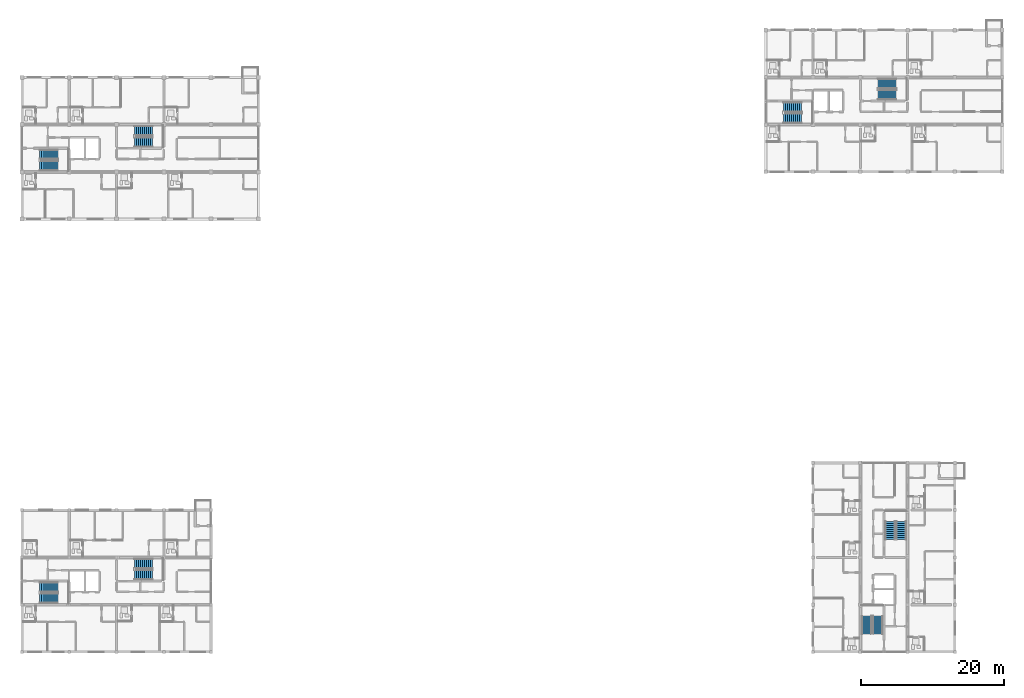
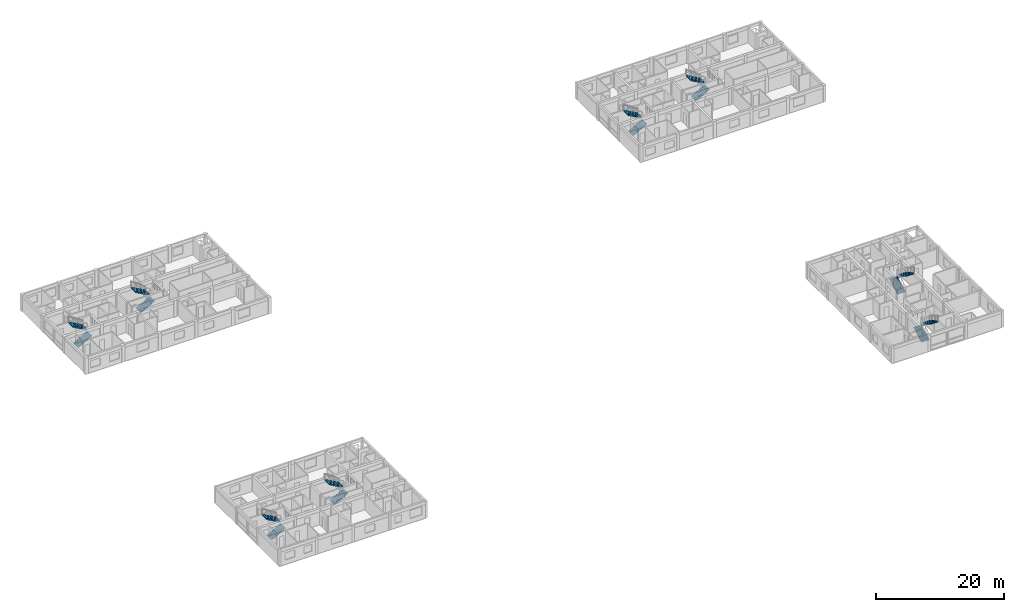
# One storey, part 39 of 45: 16 stair flights, 8 elements without a shape of their own.
"""IFC4 building model written with IfcOpenShell, lengths in metres."""

from ifc_helpers import new_model, si_unit, direction, frame, origin, place, context, subcontext, project, spatial, polyline, outline, extrude, material, type_object, element, aggregate, save


model = new_model("IFC4")

# Units and contexts
model_context = context("Model", 3, precision=1e-05, world=origin(), true_north=direction((0.0, 1.0)))
body_context = subcontext(model_context, "Body", "Model", "MODEL_VIEW")
ifc_project = project(units=[si_unit("LENGTHUNIT", "METRE"), si_unit("AREAUNIT", "SQUARE_METRE"), si_unit("VOLUMEUNIT", "CUBIC_METRE"), si_unit("PLANEANGLEUNIT", "RADIAN"), si_unit("MASSUNIT", "GRAM", prefix="KILO")], contexts=[model_context])

# Site, building, storey
site_placement = place(None, origin())
site = spatial("IfcSite", under=ifc_project, at=site_placement, CompositionType="ELEMENT")
building_placement = place(site_placement, origin())
building = spatial("IfcBuilding", under=site, at=building_placement, Name="Kernevlak Ridge Housing Community", CompositionType="ELEMENT")
storey_placement = place(building_placement, frame((0.0, 0.0, 21.199951171875)))
storey = spatial("IfcBuildingStorey", under=building, at=storey_placement, Name="L06", CompositionType="ELEMENT", Elevation=21.199951171875)

# Stair, stair flights
ifc_material = material(Name="Concrete C35/45", Category="concrete")
stair_type = type_object("IfcStairType", Name="SR-01", PredefinedType="HALF_TURN_STAIR", material=ifc_material)
stair_1_placement = place(storey_placement, origin())
stair_1 = element("IfcStair", 1, at=stair_1_placement, inside=storey, type_object=stair_type, Name="Stair ST-A1 L06", PredefinedType="HALF_TURN_STAIR")
stair_flight_type = type_object("IfcStairFlightType", Name="SF-01", PredefinedType="STRAIGHT", material=ifc_material)
stair_flight_1_placement = place(storey_placement, frame((18.080078125, 83.4599609375, 0.0), z_axis=(0.0, 0.0, 1.0), x_axis=(1.0, 0.0, 0.0)))
stair_flight_1 = element("IfcStairFlight", 2, at=stair_flight_1_placement, type_object=stair_flight_type, Name="SR-01 flight 1", NumberOfRisers=10, NumberOfTreads=9, PredefinedType="STRAIGHT", RiserHeight=0.16, TreadLength=0.28, context=body_context, shape_type="SweptSolid", body=[
    extrude(outline(polyline([(0.0, 0.0), (0.0, 0.159912109375), (0.280029296875, 0.159912109375), (0.280029296875, 0.320068359375), (0.56005859375, 0.320068359375), (0.56005859375, 0.47998046875), (0.840087890625, 0.47998046875), (0.840087890625, 0.639892578125), (1.1201171875, 0.639892578125), (1.1201171875, 0.800048828125), (1.39990234375, 0.800048828125), (1.39990234375, 0.9599609375), (1.679931640625, 0.9599609375), (1.679931640625, 1.1201171875), (1.9599609375, 1.1201171875), (1.9599609375, 1.280029296875), (2.239990234375, 1.280029296875), (2.239990234375, 1.43994140625), (2.52001953125, 1.43994140625), (2.52001953125, 1.60009765625), (2.52001953125, 1.244384765625), (0.342529296875, 0.0), (0.0, 0.0)])), frame((0.0, 0.699951171875, 0.0), z_axis=(0.0, -1.0, 0.0), x_axis=(1.0, 0.0, 0.0)), (0.0, 0.0, 1.0), 1.39990234375),
])
stair_flight_2_placement = place(storey_placement, frame((20.60009765625, 85.0400390625, 1.60009765625), z_axis=(0.0, 0.0, 1.0), x_axis=(-1.0, 0.0, 0.0)))
stair_flight_2 = element("IfcStairFlight", 3, at=stair_flight_2_placement, type_object=stair_flight_type, Name="SR-01 flight 2", NumberOfRisers=10, NumberOfTreads=9, PredefinedType="STRAIGHT", RiserHeight=0.16, TreadLength=0.28, context=body_context, shape_type="SweptSolid", body=[
    extrude(outline(polyline([(0.0, 0.0), (0.0, 0.159912109375), (0.280029296875, 0.159912109375), (0.280029296875, 0.320068359375), (0.56005859375, 0.320068359375), (0.56005859375, 0.47998046875), (0.840087890625, 0.47998046875), (0.840087890625, 0.639892578125), (1.1201171875, 0.639892578125), (1.1201171875, 0.800048828125), (1.39990234375, 0.800048828125), (1.39990234375, 0.9599609375), (1.679931640625, 0.9599609375), (1.679931640625, 1.1201171875), (1.9599609375, 1.1201171875), (1.9599609375, 1.280029296875), (2.239990234375, 1.280029296875), (2.239990234375, 1.43994140625), (2.52001953125, 1.43994140625), (2.52001953125, 1.60009765625), (2.52001953125, 1.244384765625), (0.342529296875, 0.0), (0.0, 0.0)])), frame((0.0, 0.699951171875, 0.0), z_axis=(0.0, -1.0, 0.0), x_axis=(1.0, 0.0, 0.0)), (0.0, 0.0, 1.0), 1.39990234375),
])
aggregate(stair_1, [stair_flight_1, stair_flight_2])

stair_2_placement = place(storey_placement, origin())
stair_2 = element("IfcStair", 4, at=stair_2_placement, inside=storey, type_object=stair_type, Name="Stair ST-A2 L06", PredefinedType="HALF_TURN_STAIR")
stair_flight_3_placement = place(storey_placement, frame((31.280029296875, 86.760009765625, 0.0), z_axis=(0.0, 0.0, 1.0), x_axis=(1.0, 0.0, 0.0)))
stair_flight_3 = element("IfcStairFlight", 5, at=stair_flight_3_placement, type_object=stair_flight_type, Name="SR-01 flight 1", NumberOfRisers=10, NumberOfTreads=9, PredefinedType="STRAIGHT", RiserHeight=0.16, TreadLength=0.28, context=body_context, shape_type="SweptSolid", body=[
    extrude(outline(polyline([(0.0, 0.0), (0.0, 0.159912109375), (0.280029296875, 0.159912109375), (0.280029296875, 0.320068359375), (0.56005859375, 0.320068359375), (0.56005859375, 0.47998046875), (0.840087890625, 0.47998046875), (0.840087890625, 0.639892578125), (1.1201171875, 0.639892578125), (1.1201171875, 0.800048828125), (1.39990234375, 0.800048828125), (1.39990234375, 0.9599609375), (1.679931640625, 0.9599609375), (1.679931640625, 1.1201171875), (1.9599609375, 1.1201171875), (1.9599609375, 1.280029296875), (2.239990234375, 1.280029296875), (2.239990234375, 1.43994140625), (2.52001953125, 1.43994140625), (2.52001953125, 1.60009765625), (2.52001953125, 1.244384765625), (0.342529296875, 0.0), (0.0, 0.0)])), frame((0.0, 0.699951171875, 0.0), z_axis=(0.0, -1.0, 0.0), x_axis=(1.0, 0.0, 0.0)), (0.0, 0.0, 1.0), 1.39990234375),
])
stair_flight_4_placement = place(storey_placement, frame((33.800048828125, 88.340087890625, 1.60009765625), z_axis=(0.0, 0.0, 1.0), x_axis=(-1.0, 0.0, 0.0)))
stair_flight_4 = element("IfcStairFlight", 6, at=stair_flight_4_placement, type_object=stair_flight_type, Name="SR-01 flight 2", NumberOfRisers=10, NumberOfTreads=9, PredefinedType="STRAIGHT", RiserHeight=0.16, TreadLength=0.28, context=body_context, shape_type="SweptSolid", body=[
    extrude(outline(polyline([(0.0, 0.0), (0.0, 0.159912109375), (0.280029296875, 0.159912109375), (0.280029296875, 0.320068359375), (0.56005859375, 0.320068359375), (0.56005859375, 0.47998046875), (0.840087890625, 0.47998046875), (0.840087890625, 0.639892578125), (1.1201171875, 0.639892578125), (1.1201171875, 0.800048828125), (1.39990234375, 0.800048828125), (1.39990234375, 0.9599609375), (1.679931640625, 0.9599609375), (1.679931640625, 1.1201171875), (1.9599609375, 1.1201171875), (1.9599609375, 1.280029296875), (2.239990234375, 1.280029296875), (2.239990234375, 1.43994140625), (2.52001953125, 1.43994140625), (2.52001953125, 1.60009765625), (2.52001953125, 1.244384765625), (0.342529296875, 0.0), (0.0, 0.0)])), frame((0.0, 0.699951171875, 0.0), z_axis=(0.0, -1.0, 0.0), x_axis=(1.0, 0.0, 0.0)), (0.0, 0.0, 1.0), 1.39990234375),
])
aggregate(stair_2, [stair_flight_3, stair_flight_4])

stair_3_placement = place(storey_placement, origin())
stair_3 = element("IfcStair", 7, at=stair_3_placement, inside=storey, type_object=stair_type, Name="Stair ST-B1 L06", PredefinedType="HALF_TURN_STAIR")
stair_flight_5_placement = place(storey_placement, frame((121.8798828125, 90.06005859375, 0.0), z_axis=(0.0, 0.0, 1.0), x_axis=(1.0, 0.0, 0.0)))
stair_flight_5 = element("IfcStairFlight", 8, at=stair_flight_5_placement, type_object=stair_flight_type, Name="SR-01 flight 1", NumberOfRisers=10, NumberOfTreads=9, PredefinedType="STRAIGHT", RiserHeight=0.16, TreadLength=0.28, context=body_context, shape_type="SweptSolid", body=[
    extrude(outline(polyline([(0.0, 0.0), (0.0, 0.159912109375), (0.280029296875, 0.159912109375), (0.280029296875, 0.320068359375), (0.56005859375, 0.320068359375), (0.56005859375, 0.47998046875), (0.840087890625, 0.47998046875), (0.840087890625, 0.639892578125), (1.1201171875, 0.639892578125), (1.1201171875, 0.800048828125), (1.39990234375, 0.800048828125), (1.39990234375, 0.9599609375), (1.679931640625, 0.9599609375), (1.679931640625, 1.1201171875), (1.9599609375, 1.1201171875), (1.9599609375, 1.280029296875), (2.239990234375, 1.280029296875), (2.239990234375, 1.43994140625), (2.52001953125, 1.43994140625), (2.52001953125, 1.60009765625), (2.52001953125, 1.244384765625), (0.342529296875, 0.0), (0.0, 0.0)])), frame((0.0, 0.699951171875, 0.0), z_axis=(0.0, -1.0, 0.0), x_axis=(1.0, 0.0, 0.0)), (0.0, 0.0, 1.0), 1.39990234375),
])
stair_flight_6_placement = place(storey_placement, frame((124.39990234375, 91.639892578125, 1.60009765625), z_axis=(0.0, 0.0, 1.0), x_axis=(-1.0, 0.0, 0.0)))
stair_flight_6 = element("IfcStairFlight", 9, at=stair_flight_6_placement, type_object=stair_flight_type, Name="SR-01 flight 2", NumberOfRisers=10, NumberOfTreads=9, PredefinedType="STRAIGHT", RiserHeight=0.16, TreadLength=0.28, context=body_context, shape_type="SweptSolid", body=[
    extrude(outline(polyline([(0.0, 0.0), (0.0, 0.159912109375), (0.280029296875, 0.159912109375), (0.280029296875, 0.320068359375), (0.56005859375, 0.320068359375), (0.56005859375, 0.47998046875), (0.840087890625, 0.47998046875), (0.840087890625, 0.639892578125), (1.1201171875, 0.639892578125), (1.1201171875, 0.800048828125), (1.39990234375, 0.800048828125), (1.39990234375, 0.9599609375), (1.679931640625, 0.9599609375), (1.679931640625, 1.1201171875), (1.9599609375, 1.1201171875), (1.9599609375, 1.280029296875), (2.239990234375, 1.280029296875), (2.239990234375, 1.43994140625), (2.52001953125, 1.43994140625), (2.52001953125, 1.60009765625), (2.52001953125, 1.244384765625), (0.342529296875, 0.0), (0.0, 0.0)])), frame((0.0, 0.699951171875, 0.0), z_axis=(0.0, -1.0, 0.0), x_axis=(1.0, 0.0, 0.0)), (0.0, 0.0, 1.0), 1.39990234375),
])
aggregate(stair_3, [stair_flight_5, stair_flight_6])

stair_4_placement = place(storey_placement, origin())
stair_4 = element("IfcStair", 10, at=stair_4_placement, inside=storey, type_object=stair_type, Name="Stair ST-B2 L06", PredefinedType="HALF_TURN_STAIR")
stair_flight_7_placement = place(storey_placement, frame((135.080078125, 93.360107421875, 0.0), z_axis=(0.0, 0.0, 1.0), x_axis=(1.0, 0.0, 0.0)))
stair_flight_7 = element("IfcStairFlight", 11, at=stair_flight_7_placement, type_object=stair_flight_type, Name="SR-01 flight 1", NumberOfRisers=10, NumberOfTreads=9, PredefinedType="STRAIGHT", RiserHeight=0.16, TreadLength=0.28, context=body_context, shape_type="SweptSolid", body=[
    extrude(outline(polyline([(0.0, 0.0), (0.0, 0.159912109375), (0.280029296875, 0.159912109375), (0.280029296875, 0.320068359375), (0.56005859375, 0.320068359375), (0.56005859375, 0.47998046875), (0.840087890625, 0.47998046875), (0.840087890625, 0.639892578125), (1.1201171875, 0.639892578125), (1.1201171875, 0.800048828125), (1.39990234375, 0.800048828125), (1.39990234375, 0.9599609375), (1.679931640625, 0.9599609375), (1.679931640625, 1.1201171875), (1.9599609375, 1.1201171875), (1.9599609375, 1.280029296875), (2.239990234375, 1.280029296875), (2.239990234375, 1.43994140625), (2.52001953125, 1.43994140625), (2.52001953125, 1.60009765625), (2.52001953125, 1.244384765625), (0.342529296875, 0.0), (0.0, 0.0)])), frame((0.0, 0.699951171875, 0.0), z_axis=(0.0, -1.0, 0.0), x_axis=(1.0, 0.0, 0.0)), (0.0, 0.0, 1.0), 1.39990234375),
])
stair_flight_8_placement = place(storey_placement, frame((137.60009765625, 94.93994140625, 1.60009765625), z_axis=(0.0, 0.0, 1.0), x_axis=(-1.0, 0.0, 0.0)))
stair_flight_8 = element("IfcStairFlight", 12, at=stair_flight_8_placement, type_object=stair_flight_type, Name="SR-01 flight 2", NumberOfRisers=10, NumberOfTreads=9, PredefinedType="STRAIGHT", RiserHeight=0.16, TreadLength=0.28, context=body_context, shape_type="SweptSolid", body=[
    extrude(outline(polyline([(0.0, 0.0), (0.0, 0.159912109375), (0.280029296875, 0.159912109375), (0.280029296875, 0.320068359375), (0.56005859375, 0.320068359375), (0.56005859375, 0.47998046875), (0.840087890625, 0.47998046875), (0.840087890625, 0.639892578125), (1.1201171875, 0.639892578125), (1.1201171875, 0.800048828125), (1.39990234375, 0.800048828125), (1.39990234375, 0.9599609375), (1.679931640625, 0.9599609375), (1.679931640625, 1.1201171875), (1.9599609375, 1.1201171875), (1.9599609375, 1.280029296875), (2.239990234375, 1.280029296875), (2.239990234375, 1.43994140625), (2.52001953125, 1.43994140625), (2.52001953125, 1.60009765625), (2.52001953125, 1.244384765625), (0.342529296875, 0.0), (0.0, 0.0)])), frame((0.0, 0.699951171875, 0.0), z_axis=(0.0, -1.0, 0.0), x_axis=(1.0, 0.0, 0.0)), (0.0, 0.0, 1.0), 1.39990234375),
])
aggregate(stair_4, [stair_flight_7, stair_flight_8])

stair_5_placement = place(storey_placement, origin())
stair_5 = element("IfcStair", 13, at=stair_5_placement, inside=storey, type_object=stair_type, Name="Stair ST-C1 L06", PredefinedType="HALF_TURN_STAIR")
stair_flight_9_placement = place(storey_placement, frame((133.4599609375, 18.080078125, 0.0), z_axis=(0.0, 0.0, 1.0), x_axis=(0.0, 1.0, 0.0)))
stair_flight_9 = element("IfcStairFlight", 14, at=stair_flight_9_placement, type_object=stair_flight_type, Name="SR-01 flight 1", NumberOfRisers=10, NumberOfTreads=9, PredefinedType="STRAIGHT", RiserHeight=0.16, TreadLength=0.28, context=body_context, shape_type="SweptSolid", body=[
    extrude(outline(polyline([(0.0, 0.0), (0.0, 0.159912109375), (0.280029296875, 0.159912109375), (0.280029296875, 0.320068359375), (0.56005859375, 0.320068359375), (0.56005859375, 0.47998046875), (0.840087890625, 0.47998046875), (0.840087890625, 0.639892578125), (1.1201171875, 0.639892578125), (1.1201171875, 0.800048828125), (1.39990234375, 0.800048828125), (1.39990234375, 0.9599609375), (1.679931640625, 0.9599609375), (1.679931640625, 1.1201171875), (1.9599609375, 1.1201171875), (1.9599609375, 1.280029296875), (2.239990234375, 1.280029296875), (2.239990234375, 1.43994140625), (2.52001953125, 1.43994140625), (2.52001953125, 1.60009765625), (2.52001953125, 1.244384765625), (0.342529296875, 0.0), (0.0, 0.0)])), frame((0.0, 0.699951171875, 0.0), z_axis=(0.0, -1.0, 0.0), x_axis=(1.0, 0.0, 0.0)), (0.0, 0.0, 1.0), 1.39990234375),
])
stair_flight_10_placement = place(storey_placement, frame((135.0400390625, 20.60009765625, 1.60009765625), z_axis=(0.0, 0.0, 1.0), x_axis=(0.0, -1.0, 0.0)))
stair_flight_10 = element("IfcStairFlight", 15, at=stair_flight_10_placement, type_object=stair_flight_type, Name="SR-01 flight 2", NumberOfRisers=10, NumberOfTreads=9, PredefinedType="STRAIGHT", RiserHeight=0.16, TreadLength=0.28, context=body_context, shape_type="SweptSolid", body=[
    extrude(outline(polyline([(0.0, 0.0), (0.0, 0.159912109375), (0.280029296875, 0.159912109375), (0.280029296875, 0.320068359375), (0.56005859375, 0.320068359375), (0.56005859375, 0.47998046875), (0.840087890625, 0.47998046875), (0.840087890625, 0.639892578125), (1.1201171875, 0.639892578125), (1.1201171875, 0.800048828125), (1.39990234375, 0.800048828125), (1.39990234375, 0.9599609375), (1.679931640625, 0.9599609375), (1.679931640625, 1.1201171875), (1.9599609375, 1.1201171875), (1.9599609375, 1.280029296875), (2.239990234375, 1.280029296875), (2.239990234375, 1.43994140625), (2.52001953125, 1.43994140625), (2.52001953125, 1.60009765625), (2.52001953125, 1.244384765625), (0.342529296875, 0.0), (0.0, 0.0)])), frame((0.0, 0.699951171875, 0.0), z_axis=(0.0, -1.0, 0.0), x_axis=(1.0, 0.0, 0.0)), (0.0, 0.0, 1.0), 1.39990234375),
])
aggregate(stair_5, [stair_flight_9, stair_flight_10])

stair_6_placement = place(storey_placement, origin())
stair_6 = element("IfcStair", 16, at=stair_6_placement, inside=storey, type_object=stair_type, Name="Stair ST-C2 L06", PredefinedType="HALF_TURN_STAIR")
stair_flight_11_placement = place(storey_placement, frame((136.760009765625, 31.280029296875, 0.0), z_axis=(0.0, 0.0, 1.0), x_axis=(0.0, 1.0, 0.0)))
stair_flight_11 = element("IfcStairFlight", 17, at=stair_flight_11_placement, type_object=stair_flight_type, Name="SR-01 flight 1", NumberOfRisers=10, NumberOfTreads=9, PredefinedType="STRAIGHT", RiserHeight=0.16, TreadLength=0.28, context=body_context, shape_type="SweptSolid", body=[
    extrude(outline(polyline([(0.0, 0.0), (0.0, 0.159912109375), (0.280029296875, 0.159912109375), (0.280029296875, 0.320068359375), (0.56005859375, 0.320068359375), (0.56005859375, 0.47998046875), (0.840087890625, 0.47998046875), (0.840087890625, 0.639892578125), (1.1201171875, 0.639892578125), (1.1201171875, 0.800048828125), (1.39990234375, 0.800048828125), (1.39990234375, 0.9599609375), (1.679931640625, 0.9599609375), (1.679931640625, 1.1201171875), (1.9599609375, 1.1201171875), (1.9599609375, 1.280029296875), (2.239990234375, 1.280029296875), (2.239990234375, 1.43994140625), (2.52001953125, 1.43994140625), (2.52001953125, 1.60009765625), (2.52001953125, 1.244384765625), (0.342529296875, 0.0), (0.0, 0.0)])), frame((0.0, 0.699951171875, 0.0), z_axis=(0.0, -1.0, 0.0), x_axis=(1.0, 0.0, 0.0)), (0.0, 0.0, 1.0), 1.39990234375),
])
stair_flight_12_placement = place(storey_placement, frame((138.340087890625, 33.800048828125, 1.60009765625), z_axis=(0.0, 0.0, 1.0), x_axis=(0.0, -1.0, 0.0)))
stair_flight_12 = element("IfcStairFlight", 18, at=stair_flight_12_placement, type_object=stair_flight_type, Name="SR-01 flight 2", NumberOfRisers=10, NumberOfTreads=9, PredefinedType="STRAIGHT", RiserHeight=0.16, TreadLength=0.28, context=body_context, shape_type="SweptSolid", body=[
    extrude(outline(polyline([(0.0, 0.0), (0.0, 0.159912109375), (0.280029296875, 0.159912109375), (0.280029296875, 0.320068359375), (0.56005859375, 0.320068359375), (0.56005859375, 0.47998046875), (0.840087890625, 0.47998046875), (0.840087890625, 0.639892578125), (1.1201171875, 0.639892578125), (1.1201171875, 0.800048828125), (1.39990234375, 0.800048828125), (1.39990234375, 0.9599609375), (1.679931640625, 0.9599609375), (1.679931640625, 1.1201171875), (1.9599609375, 1.1201171875), (1.9599609375, 1.280029296875), (2.239990234375, 1.280029296875), (2.239990234375, 1.43994140625), (2.52001953125, 1.43994140625), (2.52001953125, 1.60009765625), (2.52001953125, 1.244384765625), (0.342529296875, 0.0), (0.0, 0.0)])), frame((0.0, 0.699951171875, 0.0), z_axis=(0.0, -1.0, 0.0), x_axis=(1.0, 0.0, 0.0)), (0.0, 0.0, 1.0), 1.39990234375),
])
aggregate(stair_6, [stair_flight_11, stair_flight_12])

stair_7_placement = place(storey_placement, origin())
stair_7 = element("IfcStair", 19, at=stair_7_placement, inside=storey, type_object=stair_type, Name="Stair ST-D1 L06", PredefinedType="HALF_TURN_STAIR")
stair_flight_13_placement = place(storey_placement, frame((18.080078125, 23.06005859375, 0.0), z_axis=(0.0, 0.0, 1.0), x_axis=(1.0, 0.0, 0.0)))
stair_flight_13 = element("IfcStairFlight", 20, at=stair_flight_13_placement, type_object=stair_flight_type, Name="SR-01 flight 1", NumberOfRisers=10, NumberOfTreads=9, PredefinedType="STRAIGHT", RiserHeight=0.16, TreadLength=0.28, context=body_context, shape_type="SweptSolid", body=[
    extrude(outline(polyline([(0.0, 0.0), (0.0, 0.159912109375), (0.280029296875, 0.159912109375), (0.280029296875, 0.320068359375), (0.56005859375, 0.320068359375), (0.56005859375, 0.47998046875), (0.840087890625, 0.47998046875), (0.840087890625, 0.639892578125), (1.1201171875, 0.639892578125), (1.1201171875, 0.800048828125), (1.39990234375, 0.800048828125), (1.39990234375, 0.9599609375), (1.679931640625, 0.9599609375), (1.679931640625, 1.1201171875), (1.9599609375, 1.1201171875), (1.9599609375, 1.280029296875), (2.239990234375, 1.280029296875), (2.239990234375, 1.43994140625), (2.52001953125, 1.43994140625), (2.52001953125, 1.60009765625), (2.52001953125, 1.244384765625), (0.342529296875, 0.0), (0.0, 0.0)])), frame((0.0, 0.699951171875, 0.0), z_axis=(0.0, -1.0, 0.0), x_axis=(1.0, 0.0, 0.0)), (0.0, 0.0, 1.0), 1.39990234375),
])
stair_flight_14_placement = place(storey_placement, frame((20.60009765625, 24.639892578125, 1.60009765625), z_axis=(0.0, 0.0, 1.0), x_axis=(-1.0, 0.0, 0.0)))
stair_flight_14 = element("IfcStairFlight", 21, at=stair_flight_14_placement, type_object=stair_flight_type, Name="SR-01 flight 2", NumberOfRisers=10, NumberOfTreads=9, PredefinedType="STRAIGHT", RiserHeight=0.16, TreadLength=0.28, context=body_context, shape_type="SweptSolid", body=[
    extrude(outline(polyline([(0.0, 0.0), (0.0, 0.159912109375), (0.280029296875, 0.159912109375), (0.280029296875, 0.320068359375), (0.56005859375, 0.320068359375), (0.56005859375, 0.47998046875), (0.840087890625, 0.47998046875), (0.840087890625, 0.639892578125), (1.1201171875, 0.639892578125), (1.1201171875, 0.800048828125), (1.39990234375, 0.800048828125), (1.39990234375, 0.9599609375), (1.679931640625, 0.9599609375), (1.679931640625, 1.1201171875), (1.9599609375, 1.1201171875), (1.9599609375, 1.280029296875), (2.239990234375, 1.280029296875), (2.239990234375, 1.43994140625), (2.52001953125, 1.43994140625), (2.52001953125, 1.60009765625), (2.52001953125, 1.244384765625), (0.342529296875, 0.0), (0.0, 0.0)])), frame((0.0, 0.699951171875, 0.0), z_axis=(0.0, -1.0, 0.0), x_axis=(1.0, 0.0, 0.0)), (0.0, 0.0, 1.0), 1.39990234375),
])
aggregate(stair_7, [stair_flight_13, stair_flight_14])

stair_8_placement = place(storey_placement, origin())
stair_8 = element("IfcStair", 22, at=stair_8_placement, inside=storey, type_object=stair_type, Name="Stair ST-D2 L06", PredefinedType="HALF_TURN_STAIR")
stair_flight_15_placement = place(storey_placement, frame((31.280029296875, 26.360107421875, 0.0), z_axis=(0.0, 0.0, 1.0), x_axis=(1.0, 0.0, 0.0)))
stair_flight_15 = element("IfcStairFlight", 23, at=stair_flight_15_placement, type_object=stair_flight_type, Name="SR-01 flight 1", NumberOfRisers=10, NumberOfTreads=9, PredefinedType="STRAIGHT", RiserHeight=0.16, TreadLength=0.28, context=body_context, shape_type="SweptSolid", body=[
    extrude(outline(polyline([(0.0, 0.0), (0.0, 0.159912109375), (0.280029296875, 0.159912109375), (0.280029296875, 0.320068359375), (0.56005859375, 0.320068359375), (0.56005859375, 0.47998046875), (0.840087890625, 0.47998046875), (0.840087890625, 0.639892578125), (1.1201171875, 0.639892578125), (1.1201171875, 0.800048828125), (1.39990234375, 0.800048828125), (1.39990234375, 0.9599609375), (1.679931640625, 0.9599609375), (1.679931640625, 1.1201171875), (1.9599609375, 1.1201171875), (1.9599609375, 1.280029296875), (2.239990234375, 1.280029296875), (2.239990234375, 1.43994140625), (2.52001953125, 1.43994140625), (2.52001953125, 1.60009765625), (2.52001953125, 1.244384765625), (0.342529296875, 0.0), (0.0, 0.0)])), frame((0.0, 0.699951171875, 0.0), z_axis=(0.0, -1.0, 0.0), x_axis=(1.0, 0.0, 0.0)), (0.0, 0.0, 1.0), 1.39990234375),
])
stair_flight_16_placement = place(storey_placement, frame((33.800048828125, 27.93994140625, 1.60009765625), z_axis=(0.0, 0.0, 1.0), x_axis=(-1.0, 0.0, 0.0)))
stair_flight_16 = element("IfcStairFlight", 24, at=stair_flight_16_placement, type_object=stair_flight_type, Name="SR-01 flight 2", NumberOfRisers=10, NumberOfTreads=9, PredefinedType="STRAIGHT", RiserHeight=0.16, TreadLength=0.28, context=body_context, shape_type="SweptSolid", body=[
    extrude(outline(polyline([(0.0, 0.0), (0.0, 0.159912109375), (0.280029296875, 0.159912109375), (0.280029296875, 0.320068359375), (0.56005859375, 0.320068359375), (0.56005859375, 0.47998046875), (0.840087890625, 0.47998046875), (0.840087890625, 0.639892578125), (1.1201171875, 0.639892578125), (1.1201171875, 0.800048828125), (1.39990234375, 0.800048828125), (1.39990234375, 0.9599609375), (1.679931640625, 0.9599609375), (1.679931640625, 1.1201171875), (1.9599609375, 1.1201171875), (1.9599609375, 1.280029296875), (2.239990234375, 1.280029296875), (2.239990234375, 1.43994140625), (2.52001953125, 1.43994140625), (2.52001953125, 1.60009765625), (2.52001953125, 1.244384765625), (0.342529296875, 0.0), (0.0, 0.0)])), frame((0.0, 0.699951171875, 0.0), z_axis=(0.0, -1.0, 0.0), x_axis=(1.0, 0.0, 0.0)), (0.0, 0.0, 1.0), 1.39990234375),
])
aggregate(stair_8, [stair_flight_15, stair_flight_16])

save(model, "model.ifc")
